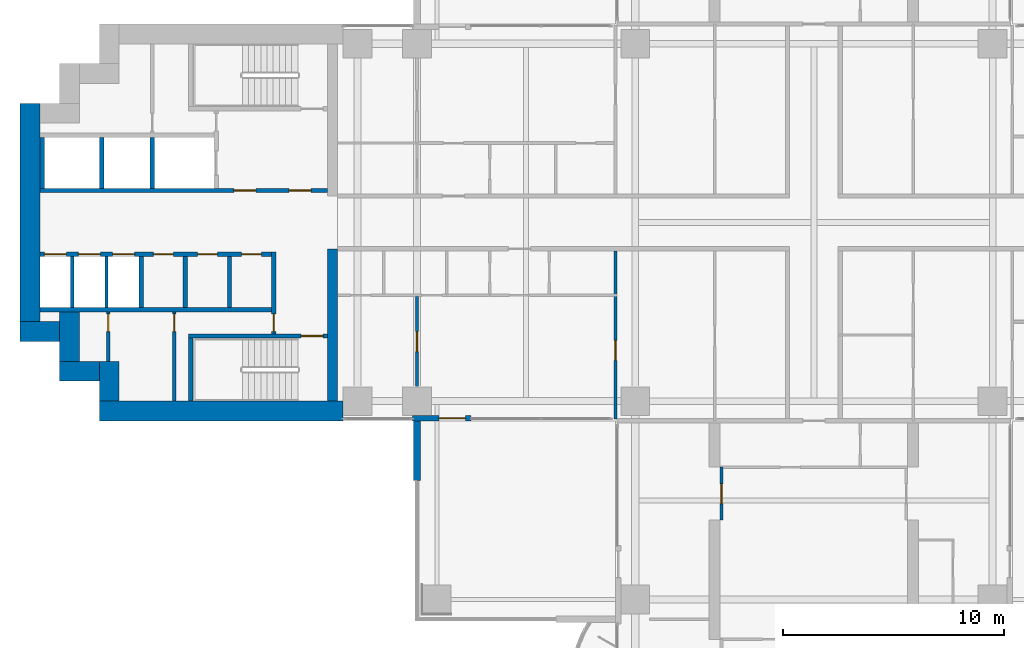
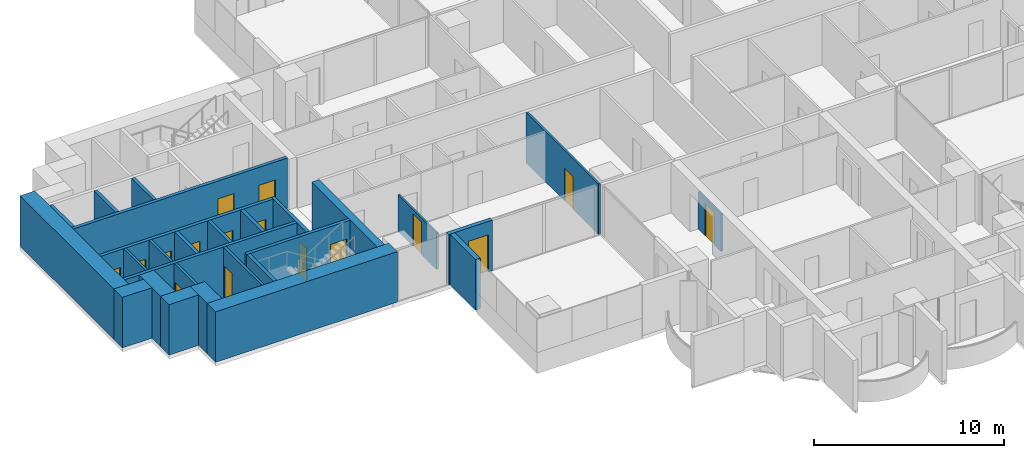
# One storey, part 10 of 20: 28 walls, 16 doors, 16 openings.
"""IFC4 building model written with IfcOpenShell, lengths in metres."""

import ifcopenshell
import ifcopenshell.guid

model = None  # the IFC model being written
_history = None  # IfcOwnerHistory: only IFC2X3 demands one
_inside = {}  # id of a spatial element -> (the spatial element, [elements in it])
_under = {}  # id of a project, library or spatial element -> (it, [spatial elements below it])
_declared = {}  # id of a project -> (the project, [libraries it declares])
_typed = {}  # id of a type object -> (the type object, [elements of that type])
_made_of = {}  # id of a material, layer set ... -> (it, [elements and type objects made of it])


def new_model(schema):
    """Start an empty IFC model of exactly this schema.

    Asked for "IFC4X3", IfcOpenShell would pick the latest addendum, in which some entities
    have other attributes; the version numbers below select the first issue.
    IFC2X3 requires an IfcOwnerHistory on every rooted entity: one is made here for all.
    """
    global model, _history
    if schema == "IFC4X3":
        model = ifcopenshell.file(schema_version=(4, 3, 0, 0))
    else:
        model = ifcopenshell.file(schema=schema)
    _inside.clear()
    _under.clear()
    _declared.clear()
    _typed.clear()
    _made_of.clear()
    _history = None
    if model.schema == "IFC2X3":
        org = make("IfcOrganization", Name="unknown")
        user = make(
            "IfcPersonAndOrganization",
            ThePerson=make("IfcPerson", FamilyName="unknown"),
            TheOrganization=org,
        )
        app = make(
            "IfcApplication",
            ApplicationDeveloper=org,
            Version="unknown",
            ApplicationFullName="unknown",
            ApplicationIdentifier="unknown",
        )
        _history = make(
            "IfcOwnerHistory",
            OwningUser=user,
            OwningApplication=app,
            ChangeAction="ADDED",
            CreationDate=0,
        )
    return model


def make(cls, **values):
    """One entity of the class cls with the attributes given. An attribute that is None is left unset."""
    return model.create_entity(
        cls, **{name: value for name, value in values.items() if value is not None}
    )


def rooted(cls, **values):
    """An entity with a GlobalId (a new one), such as an element, a storey or a relation."""
    return make(cls, GlobalId=ifcopenshell.guid.new(), OwnerHistory=_history, **values)


def si_unit(unit_type, name, prefix=None):
    """IfcSIUnit, for example si_unit("LENGTHUNIT", "METRE", prefix="MILLI")."""
    return make("IfcSIUnit", UnitType=unit_type, Prefix=prefix, Name=name)


def assignment(units):
    """IfcUnitAssignment: the units of a project."""
    return None if units is None else make("IfcUnitAssignment", Units=units)


def point(xyz):
    """IfcCartesianPoint."""
    return None if xyz is None else make("IfcCartesianPoint", Coordinates=xyz)


def direction(xyz):
    """IfcDirection."""
    return None if xyz is None else make("IfcDirection", DirectionRatios=xyz)


def frame(location, z_axis=None, x_axis=None):
    """IfcAxis2Placement3D, a coordinate frame: its origin and axes. An axis left out is left unset."""
    return make(
        "IfcAxis2Placement3D",
        Location=point(location),
        Axis=direction(z_axis),
        RefDirection=direction(x_axis),
    )


def frame_2d(location, x_axis=None):
    """IfcAxis2Placement2D, a coordinate frame in the plane: its origin and x axis."""
    return make(
        "IfcAxis2Placement2D", Location=point(location), RefDirection=direction(x_axis)
    )


def origin():
    """The frame at (0, 0, 0) with its axes left unset."""
    return frame((0.0, 0.0, 0.0))


def place(relative_to, where):
    """IfcLocalPlacement: puts the frame where relative to a parent placement (None: the world)."""
    return make(
        "IfcLocalPlacement", PlacementRelTo=relative_to, RelativePlacement=where
    )


def context(
    kind, dimensions, precision=None, world=None, true_north=None, identifier=None
):
    """IfcGeometricRepresentationContext, for example the 3D "Model" context."""
    return make(
        "IfcGeometricRepresentationContext",
        ContextIdentifier=identifier,
        ContextType=kind,
        CoordinateSpaceDimension=dimensions,
        Precision=precision,
        WorldCoordinateSystem=world,
        TrueNorth=true_north,
    )


def subcontext(parent, identifier, kind, view, scale=None):
    """IfcGeometricRepresentationSubContext, for example "Body" below "Model"."""
    return make(
        "IfcGeometricRepresentationSubContext",
        ContextIdentifier=identifier,
        ContextType=kind,
        ParentContext=parent,
        TargetScale=scale,
        TargetView=view,
    )


def project(units=None, contexts=None):
    """IfcProject with its units and contexts."""
    return rooted(
        "IfcProject",
        Name="project",
        RepresentationContexts=contexts,
        UnitsInContext=assignment(units),
    )


def spatial(cls, under=None, at=None, **own):
    """A site, building, storey or space (cls), placed at a placement, below another one or the project."""
    s = rooted(cls, ObjectPlacement=at, **own)
    if under is not None:
        _under.setdefault(under.id(), (under, []))[1].append(s)
    return s


def profile(cls, at=None, kind="AREA", **sizes):
    """A parametric profile (cls). Its sizes go by their IFC names, for example OverallWidth=200.0."""
    return make(cls, ProfileType=kind, Position=at, **sizes)


def rectangle(**sizes):
    """IfcRectangleProfileDef."""
    return profile("IfcRectangleProfileDef", **sizes)


def extrude(swept, where, along, depth):
    """IfcExtrudedAreaSolid: the profile swept, set in the frame where, extruded along a direction by depth."""
    return make(
        "IfcExtrudedAreaSolid",
        SweptArea=swept,
        Position=where,
        ExtrudedDirection=direction(along),
        Depth=depth,
    )


def shape(context_of_items, identifier, shape_type, items):
    """IfcShapeRepresentation: the items that make up one representation, for example the "Body"."""
    return make(
        "IfcShapeRepresentation",
        ContextOfItems=context_of_items,
        RepresentationIdentifier=identifier,
        RepresentationType=shape_type,
        Items=items,
    )


def material(Name=None, Category=None):
    """IfcMaterial."""
    return make("IfcMaterial", Name=Name, Category=Category)


def layer(
    of_material, thickness, ventilated=None, Name=None, Category=None, Priority=None
):
    """IfcMaterialLayer: one layer of a wall or slab, of a material (None: an air gap)."""
    return make(
        "IfcMaterialLayer",
        Material=of_material,
        LayerThickness=thickness,
        IsVentilated=ventilated,
        Name=Name,
        Category=Category,
        Priority=Priority,
    )


def layer_set(layers, Name=None):
    """IfcMaterialLayerSet."""
    return make("IfcMaterialLayerSet", MaterialLayers=layers, LayerSetName=Name)


def made_of(thing, what):
    """Note that an element or type object is made of a material, layer set ...; save() writes the relation."""
    if what is not None:
        _made_of.setdefault(what.id(), (what, []))[1].append(thing)
    return thing


def type_object(cls, material=None, **own):
    """A type object (cls), such as IfcWallType, which elements share."""
    return made_of(rooted(cls, **own), material)


def element(
    cls,
    number,
    at=None,
    inside=None,
    cuts=None,
    type_object=None,
    material=None,
    context=None,
    identifier="Body",
    shape_type=None,
    held_by="IfcProductDefinitionShape",
    body=None,
    shapes=None,
    **own,
):
    """One element of the class cls, such as IfcWall. Its Tag is "e" and its number.

    at: its placement. inside: the storey or other place that contains it. cuts: it is an
    opening in that element (IfcRelVoidsElement). A single representation is given by context,
    identifier, shape_type and body (its items); several are given by shapes. held_by: the class
    of the entity that holds the representations. save() writes the other relations.
    """
    e = rooted(cls, Tag="e%d" % number, ObjectPlacement=at, **own)
    if body is not None:
        shapes = [shape(context, identifier, shape_type, body)]
    if shapes is not None:
        e.Representation = make(held_by, Representations=shapes)
    if inside is not None:
        _inside.setdefault(inside.id(), (inside, []))[1].append(e)
    if cuts is not None:
        rooted(
            "IfcRelVoidsElement", RelatingBuildingElement=cuts, RelatedOpeningElement=e
        )
    if type_object is not None:
        _typed.setdefault(type_object.id(), (type_object, []))[1].append(e)
    return made_of(e, material)


def fill(opening, filler):
    """IfcRelFillsElement: the door or window that sits in an opening."""
    return rooted(
        "IfcRelFillsElement",
        RelatingOpeningElement=opening,
        RelatedBuildingElement=filler,
    )


def aggregate(whole, parts):
    """IfcRelAggregates: a whole, such as a stair, and the parts it consists of."""
    return rooted("IfcRelAggregates", RelatingObject=whole, RelatedObjects=parts)


def save(model, path):
    """Write the relations noted so far, then the file.

    IfcRelAggregates (storeys below a building ...), IfcRelContainedInSpatialStructure (elements
    in a storey), IfcRelDefinesByType, IfcRelAssociatesMaterial and IfcRelDeclares: one each for
    every whole, place, type object, material and project.
    """
    for whole, parts in _under.values():
        aggregate(whole, parts)
    for where, things in _inside.values():
        rooted(
            "IfcRelContainedInSpatialStructure",
            RelatedElements=things,
            RelatingStructure=where,
        )
    for kind, things in _typed.values():
        rooted("IfcRelDefinesByType", RelatedObjects=things, RelatingType=kind)
    for what, things in _made_of.values():
        rooted("IfcRelAssociatesMaterial", RelatedObjects=things, RelatingMaterial=what)
    for by, libraries in _declared.values():
        rooted("IfcRelDeclares", RelatingContext=by, RelatedDefinitions=libraries)
    model.write(path)


model = new_model("IFC4")

# Units and contexts
model_context = context("Model", 3, precision=1e-05, world=origin(), true_north=direction((0.0, 1.0)))
body_context = subcontext(model_context, "Body", "Model", "MODEL_VIEW")
ifc_project = project(units=[si_unit("LENGTHUNIT", "METRE"), si_unit("AREAUNIT", "SQUARE_METRE"), si_unit("VOLUMEUNIT", "CUBIC_METRE"), si_unit("PLANEANGLEUNIT", "RADIAN"), si_unit("MASSUNIT", "GRAM", prefix="KILO")], contexts=[model_context])

# Site, building, storey
site_placement = place(None, origin())
site = spatial("IfcSite", under=ifc_project, at=site_placement, CompositionType="ELEMENT")
building_placement = place(site_placement, origin())
building = spatial("IfcBuilding", under=site, at=building_placement, Name="Perihelion Cross Residences", CompositionType="ELEMENT")
storey_placement = place(building_placement, frame((0.0, 0.0, 82.0)))
storey = spatial("IfcBuildingStorey", under=building, at=storey_placement, Name="L18", CompositionType="ELEMENT", Elevation=82.0)

# Wall, opening, door
ifc_material_1 = material(Name="Concrete C30/37, bronze-clad", Category="concrete")
ifc_layer_1 = layer(ifc_material_1, 0.25)
ifc_layer_set_1 = layer_set([ifc_layer_1], Name="Bronze-clad pier wall 250")
wall_type_1 = type_object("IfcWallType", Name="Bronze-clad pier wall 250", PredefinedType="SOLIDWALL", material=ifc_layer_set_1)
wall_1_placement = place(storey_placement, frame((-18.199951171875, -8.875, 0.0), z_axis=(0.0, 0.0, 1.0), x_axis=(1.0, 0.0, 0.0)))
wall_1 = element("IfcWall", 1, at=wall_1_placement, inside=storey, type_object=wall_type_1, Name="Wall FW1 L18 west side south bay 2 pier", PredefinedType="SOLIDWALL", context=body_context, shape_type="SweptSolid", body=[
    extrude(rectangle(XDim=2.64990234375, YDim=0.25, at=frame_2d((1.324951171875, 0.0))), origin(), (0.0, 0.0, 1.0), 3.25),
])
opening_1_placement = place(wall_1_placement, frame((1.199951171875, 0.0, 0.0)))
opening_1 = element("IfcOpeningElement", 2, at=opening_1_placement, cuts=wall_1, Name="Opening L18.E09", PredefinedType="OPENING", context=body_context, shape_type="SweptSolid", body=[
    extrude(rectangle(XDim=1.199951171875, YDim=2.39990234375, at=frame_2d((0.60009765625, 1.199951171875))), frame((0.0, 0.135009765625, 0.0), z_axis=(0.0, -1.0, 0.0), x_axis=(1.0, 0.0, 0.0)), (0.0, 0.0, 1.0), 0.27001953125),
])
ifc_material_2 = material(Name="Bronze anodised aluminium, glazed", Category="aluminium")
door_type_1 = type_object("IfcDoorType", Name="Balcony door 1200 x 2400", OperationType="NOTDEFINED", PredefinedType="DOOR", material=ifc_material_2)
door_1_placement = place(opening_1_placement, origin())
door_1 = element("IfcDoor", 3, at=door_1_placement, inside=storey, type_object=door_type_1, Name="Door L18.E09 west side south bay 2", OperationType="SINGLE_SWING_RIGHT", OverallHeight=2.39990234375, OverallWidth=1.199951171875, PredefinedType="DOOR", context=body_context, shape_type="SweptSolid", body=[
    extrude(rectangle(XDim=1.199951171875, YDim=2.39990234375, at=frame_2d((0.60009765625, 1.199951171875))), frame((0.0, 0.02490234375, 0.0), z_axis=(0.0, -1.0, 0.0), x_axis=(1.0, 0.0, 0.0)), (0.0, 0.0, 1.0), 0.050048828125),
])
fill(opening_1, door_1)

# Walls
ifc_material_3 = material(Name="Concrete C60/75", Category="concrete")
ifc_layer_2 = layer(ifc_material_3, 0.449951171875)
ifc_layer_set_2 = layer_set([ifc_layer_2], Name="Core wall, inner 450")
wall_type_2 = type_object("IfcWallType", Name="Core wall, inner 450", PredefinedType="SHEAR", material=ifc_layer_set_2)
wall_2_placement = place(storey_placement, frame((-21.824951171875, -8.10009765625, 0.0), z_axis=(0.0, 0.0, 1.0), x_axis=(0.0, 1.0, 0.0)))
element("IfcWall", 4, at=wall_2_placement, inside=storey, type_object=wall_type_2, Name="West core core wall, inner", PredefinedType="SHEAR", context=body_context, shape_type="SweptSolid", body=[
    extrude(rectangle(XDim=6.900146484375, YDim=0.449951171875, at=frame_2d((3.4501953125, 0.0))), origin(), (0.0, 0.0, 1.0), 3.25),
])
ifc_material_4 = material(Name="Concrete C60/75", Category="concrete")
ifc_layer_3 = layer(ifc_material_4, 0.89990234375)
ifc_layer_set_3 = layer_set([ifc_layer_3], Name="Core wall, outer 900")
wall_type_3 = type_object("IfcWallType", Name="Core wall, outer 900", PredefinedType="SHEAR", material=ifc_layer_set_3)
wall_3_placement = place(storey_placement, frame((-32.39990234375, -8.550048828125, 0.0), z_axis=(0.0, 0.0, 1.0), x_axis=(1.0, 0.0, 0.0)))
element("IfcWall", 5, at=wall_3_placement, inside=storey, type_object=wall_type_3, Name="West core core wall, outer", PredefinedType="SHEAR", context=body_context, shape_type="SweptSolid", body=[
    extrude(rectangle(XDim=11.0498046875, YDim=0.89990234375, at=frame_2d((5.52490234375, 0.0))), origin(), (0.0, 0.0, 1.0), 3.25),
])
for number, where, z_axis, x_axis, name in (
    (6, (-31.949951171875, -8.10009765625, 0.0), (0.0, 0.0, 1.0), (0.0, 1.0, 0.0), "West core core wall, outer"),
    (7, (-34.199951171875, -6.75, 0.0), (0.0, 0.0, 1.0), (1.0, 0.0, 0.0), "West core core wall, outer"),
):
    element("IfcWall", number, at=place(storey_placement, frame(where, z_axis=z_axis, x_axis=x_axis)), inside=storey, type_object=wall_type_3, Name=name, PredefinedType="SHEAR", context=body_context, shape_type="SweptSolid", body=[
        extrude(rectangle(XDim=1.800048828125, YDim=0.89990234375, at=frame_2d((0.89990234375, 0.0))), origin(), (0.0, 0.0, 1.0), 3.25),
    ])
wall_4_placement = place(storey_placement, frame((-33.75, -6.300048828125, 0.0), z_axis=(0.0, 0.0, 1.0), x_axis=(0.0, 1.0, 0.0)))
element("IfcWall", 8, at=wall_4_placement, inside=storey, type_object=wall_type_3, Name="West core core wall, outer", PredefinedType="SHEAR", context=body_context, shape_type="SweptSolid", body=[
    extrude(rectangle(XDim=2.25, YDim=0.89990234375, at=frame_2d((1.125, 0.0))), origin(), (0.0, 0.0, 1.0), 3.25),
])
wall_5_placement = place(storey_placement, frame((-36.0, -4.949951171875, 0.0), z_axis=(0.0, 0.0, 1.0), x_axis=(1.0, 0.0, 0.0)))
element("IfcWall", 9, at=wall_5_placement, inside=storey, type_object=wall_type_3, Name="West core core wall, outer", PredefinedType="SHEAR", context=body_context, shape_type="SweptSolid", body=[
    extrude(rectangle(XDim=1.800048828125, YDim=0.89990234375, at=frame_2d((0.89990234375, 0.0))), origin(), (0.0, 0.0, 1.0), 3.25),
])
wall_6_placement = place(storey_placement, frame((-35.550048828125, -4.5, 0.0), z_axis=(0.0, 0.0, 1.0), x_axis=(0.0, 1.0, 0.0)))
element("IfcWall", 10, at=wall_6_placement, inside=storey, type_object=wall_type_3, Name="West core core wall, outer", PredefinedType="SHEAR", context=body_context, shape_type="SweptSolid", body=[
    extrude(rectangle(XDim=9.89990234375, YDim=0.89990234375, at=frame_2d((4.949951171875, 0.0))), origin(), (0.0, 0.0, 1.0), 3.25),
])

# Wall, opening, door
ifc_material_5 = material(Name="Plasterboard partition")
ifc_layer_4 = layer(ifc_material_5, 0.1201171875)
ifc_layer_set_4 = layer_set([ifc_layer_4], Name="Infill panel 120")
wall_type_4 = type_object("IfcWallType", Name="Infill panel 120", PredefinedType="PARTITIONING", material=ifc_layer_set_4)
wall_7_placement = place(storey_placement, frame((-4.18994140625, -11.10009765625, 0.0), z_axis=(0.0, 0.0, 1.0), x_axis=(0.0, -1.0, 0.0)))
wall_7 = element("IfcWall", 11, at=wall_7_placement, inside=storey, type_object=wall_type_4, Name="Partition L18 WI07", PredefinedType="PARTITIONING", context=body_context, shape_type="SweptSolid", body=[
    extrude(rectangle(XDim=2.39990234375, YDim=0.1201171875, at=frame_2d((1.199951171875, 0.0))), origin(), (0.0, 0.0, 1.0), 2.39990234375),
])
opening_2_placement = place(wall_7_placement, frame((0.75, 0.0, 0.0)))
opening_2 = element("IfcOpeningElement", 12, at=opening_2_placement, cuts=wall_7, Name="Opening L18.A55", PredefinedType="OPENING", context=body_context, shape_type="SweptSolid", body=[
    extrude(rectangle(XDim=0.89990234375, YDim=2.10009765625, at=frame_2d((0.449951171875, 1.050048828125))), frame((0.0, 0.070068359375, 0.0), z_axis=(0.0, -1.0, 0.0), x_axis=(1.0, 0.0, 0.0)), (0.0, 0.0, 1.0), 0.14013671875),
])
ifc_material_6 = material(Name="Timber door leaf", Category="wood")
door_type_2 = type_object("IfcDoorType", Name="Interior room door 900 x 2100", OperationType="SINGLE_SWING_LEFT", PredefinedType="DOOR", material=ifc_material_6)
door_2_placement = place(opening_2_placement, origin())
door_2 = element("IfcDoor", 13, at=door_2_placement, inside=storey, type_object=door_type_2, Name="Door L18.A55", OperationType="SINGLE_SWING_LEFT", OverallHeight=2.10009765625, OverallWidth=0.89990234375, PredefinedType="DOOR", context=body_context, shape_type="SweptSolid", body=[
    extrude(rectangle(XDim=0.89990234375, YDim=2.10009765625, at=frame_2d((0.449951171875, 1.050048828125))), frame((0.0, 0.02490234375, 0.0), z_axis=(0.0, -1.0, 0.0), x_axis=(1.0, 0.0, 0.0)), (0.0, 0.0, 1.0), 0.050048828125),
])
fill(opening_2, door_2)

ifc_material_7 = material(Name="Concrete C50/60", Category="concrete")
ifc_layer_5 = layer(ifc_material_7, 0.199951171875)
ifc_layer_set_5 = layer_set([ifc_layer_5], Name="Lobby wall 200")
wall_type_5 = type_object("IfcWallType", Name="Lobby wall 200", PredefinedType="SOLIDWALL", material=ifc_layer_set_5)
wall_8_placement = place(storey_placement, frame((-24.5, -5.050048828125, 0.0), z_axis=(0.0, 0.0, 1.0), x_axis=(0.0, 1.0, 0.0)))
wall_8 = element("IfcWall", 14, at=wall_8_placement, inside=storey, type_object=wall_type_5, Name="West core lobby wall", PredefinedType="SOLIDWALL", context=body_context, shape_type="SweptSolid", body=[
    extrude(rectangle(XDim=3.699951171875, YDim=0.199951171875, at=frame_2d((1.85009765625, 0.0))), origin(), (0.0, 0.0, 1.0), 3.25),
])
opening_3_placement = place(wall_8_placement, frame((0.10009765625, 0.0, 0.0)))
opening_3 = element("IfcOpeningElement", 15, at=opening_3_placement, cuts=wall_8, Name="Opening L18.C24", PredefinedType="OPENING", context=body_context, shape_type="SweptSolid", body=[
    extrude(rectangle(XDim=0.800048828125, YDim=2.10009765625, at=frame_2d((0.39990234375, 1.050048828125))), frame((0.0, 0.10986328125, 0.0), z_axis=(0.0, -1.0, 0.0), x_axis=(1.0, 0.0, 0.0)), (0.0, 0.0, 1.0), 0.219970703125),
])
ifc_material_8 = material(Name="Steel, powder coated", Category="steel")
door_type_3 = type_object("IfcDoorType", Name="Riser door 800", OperationType="SINGLE_SWING_LEFT", PredefinedType="DOOR", material=ifc_material_8)
door_3_placement = place(opening_3_placement, origin())
door_3 = element("IfcDoor", 16, at=door_3_placement, inside=storey, type_object=door_type_3, Name="West core riser door", OperationType="SINGLE_SWING_LEFT", OverallHeight=2.10009765625, OverallWidth=0.800048828125, PredefinedType="DOOR", context=body_context, shape_type="SweptSolid", body=[
    extrude(rectangle(XDim=0.800048828125, YDim=2.10009765625, at=frame_2d((0.39990234375, 1.050048828125))), frame((0.0, 0.02490234375, 0.0), z_axis=(0.0, -1.0, 0.0), x_axis=(1.0, 0.0, 0.0)), (0.0, 0.0, 1.0), 0.050048828125),
])
fill(opening_3, door_3)

ifc_material_9 = material(Name="Plasterboard partition")
ifc_layer_6 = layer(ifc_material_9, 0.1201171875)
ifc_layer_set_6 = layer_set([ifc_layer_6], Name="Partition wall 120")
wall_type_6 = type_object("IfcWallType", Name="Partition wall 120", PredefinedType="PARTITIONING", material=ifc_layer_set_6)
wall_9_placement = place(storey_placement, frame((-9.0, -1.300048828125, 0.0), z_axis=(0.0, 0.0, 1.0), x_axis=(0.0, -1.0, 0.0)))
wall_9 = element("IfcWall", 17, at=wall_9_placement, inside=storey, type_object=wall_type_6, Name="Partition L18 W040", PredefinedType="PARTITIONING", context=body_context, shape_type="SweptSolid", body=[
    extrude(rectangle(XDim=7.619873046875, YDim=0.1201171875, at=frame_2d((3.81005859375, 0.0))), origin(), (0.0, 0.0, 1.0), 3.25),
])
opening_4_placement = place(wall_9_placement, frame((4.050048828125, 0.0, 0.0)))
opening_4 = element("IfcOpeningElement", 18, at=opening_4_placement, cuts=wall_9, Name="Opening L18.A30", PredefinedType="OPENING", context=body_context, shape_type="SweptSolid", body=[
    extrude(rectangle(XDim=0.89990234375, YDim=2.10009765625, at=frame_2d((0.449951171875, 1.050048828125))), frame((0.0, 0.070068359375, 0.0), z_axis=(0.0, -1.0, 0.0), x_axis=(1.0, 0.0, 0.0)), (0.0, 0.0, 1.0), 0.14013671875),
])
door_4_placement = place(opening_4_placement, origin())
door_4 = element("IfcDoor", 19, at=door_4_placement, inside=storey, type_object=door_type_2, Name="Door L18.A30", OperationType="SINGLE_SWING_RIGHT", OverallHeight=2.10009765625, OverallWidth=0.89990234375, PredefinedType="DOOR", context=body_context, shape_type="SweptSolid", body=[
    extrude(rectangle(XDim=0.89990234375, YDim=2.10009765625, at=frame_2d((0.449951171875, 1.050048828125))), frame((0.0, 0.02490234375, 0.0), z_axis=(0.0, -1.0, 0.0), x_axis=(1.0, 0.0, 0.0)), (0.0, 0.0, 1.0), 0.050048828125),
])
fill(opening_4, door_4)

wall_10_placement = place(storey_placement, frame((-18.0, -7.449951171875, 0.0), z_axis=(0.0, 0.0, 1.0), x_axis=(0.0, 1.0, 0.0)))
wall_10 = element("IfcWall", 20, at=wall_10_placement, inside=storey, type_object=wall_type_6, Name="Partition L18 W046", PredefinedType="PARTITIONING", context=body_context, shape_type="SweptSolid", body=[
    extrude(rectangle(XDim=4.08984375, YDim=0.1201171875, at=frame_2d((2.044921875, 0.0))), origin(), (0.0, 0.0, 1.0), 2.345947265625),
])
opening_5_placement = place(wall_10_placement, frame((1.594970703125, 0.0, 0.0)))
opening_5 = element("IfcOpeningElement", 21, at=opening_5_placement, cuts=wall_10, Name="Opening L18.A27", PredefinedType="OPENING", context=body_context, shape_type="SweptSolid", body=[
    extrude(rectangle(XDim=0.89990234375, YDim=2.10009765625, at=frame_2d((0.449951171875, 1.050048828125))), frame((0.0, 0.070068359375, 0.0), z_axis=(0.0, -1.0, 0.0), x_axis=(1.0, 0.0, 0.0)), (0.0, 0.0, 1.0), 0.14013671875),
])
door_5_placement = place(opening_5_placement, origin())
door_5 = element("IfcDoor", 22, at=door_5_placement, inside=storey, type_object=door_type_2, Name="Door L18.A27", OperationType="SINGLE_SWING_LEFT", OverallHeight=2.10009765625, OverallWidth=0.89990234375, PredefinedType="DOOR", context=body_context, shape_type="SweptSolid", body=[
    extrude(rectangle(XDim=0.89990234375, YDim=2.10009765625, at=frame_2d((0.449951171875, 1.050048828125))), frame((0.0, 0.02490234375, 0.0), z_axis=(0.0, -1.0, 0.0), x_axis=(1.0, 0.0, 0.0)), (0.0, 0.0, 1.0), 0.050048828125),
])
fill(opening_5, door_5)

# Wall
ifc_material_10 = material(Name="Precast concrete C50/60", Category="concrete")
ifc_layer_7 = layer(ifc_material_10, 0.300048828125)
ifc_layer_set_7 = layer_set([ifc_layer_7], Name="Precast concrete C50/60 blade wall 300")
wall_type_7 = type_object("IfcWallType", Name="Precast concrete C50/60 blade wall 300", PredefinedType="SOLIDWALL", material=ifc_layer_set_7)
wall_11_placement = place(storey_placement, frame((-18.0, -8.75, 0.0), z_axis=(0.0, 0.0, 1.0), x_axis=(0.0, -1.0, 0.0)))
element("IfcWall", 23, at=wall_11_placement, inside=storey, type_object=wall_type_7, Name="Wall BL1 L18 no. 1", PredefinedType="SOLIDWALL", context=body_context, shape_type="SweptSolid", body=[
    extrude(rectangle(XDim=2.949951171875, YDim=0.300048828125, at=frame_2d((1.47509765625, 0.0))), origin(), (0.0, 0.0, 1.0), 3.25),
])

# Wall, opening, door
ifc_material_11 = material(Name="Fire-rated board on steel stud", Category="steel")
ifc_layer_8 = layer(ifc_material_11, 0.14990234375)
ifc_layer_set_8 = layer_set([ifc_layer_8], Name="Riser wall 150")
wall_type_8 = type_object("IfcWallType", Name="Riser wall 150", PredefinedType="PARTITIONING", material=ifc_layer_set_8)
wall_12_placement = place(storey_placement, frame((-29.0, -8.10009765625, 0.0), z_axis=(0.0, 0.0, 1.0), x_axis=(0.0, 1.0, 0.0)))
wall_12 = element("IfcWall", 24, at=wall_12_placement, inside=storey, type_object=wall_type_8, Name="West core riser wall", PredefinedType="PARTITIONING", context=body_context, shape_type="SweptSolid", body=[
    extrude(rectangle(XDim=4.050048828125, YDim=0.14990234375, at=frame_2d((2.02490234375, 0.0))), origin(), (0.0, 0.0, 1.0), 3.25),
])
opening_6_placement = place(wall_12_placement, frame((3.14990234375, 0.0, 0.0)))
opening_6 = element("IfcOpeningElement", 25, at=opening_6_placement, cuts=wall_12, Name="Opening L18.C29", PredefinedType="OPENING", context=body_context, shape_type="SweptSolid", body=[
    extrude(rectangle(XDim=0.800048828125, YDim=2.10009765625, at=frame_2d((0.39990234375, 1.050048828125))), frame((0.0, 0.0849609375, 0.0), z_axis=(0.0, -1.0, 0.0), x_axis=(1.0, 0.0, 0.0)), (0.0, 0.0, 1.0), 0.169921875),
])
door_6_placement = place(opening_6_placement, origin())
door_6 = element("IfcDoor", 26, at=door_6_placement, inside=storey, type_object=door_type_3, Name="West core riser door", OperationType="SINGLE_SWING_LEFT", OverallHeight=2.10009765625, OverallWidth=0.800048828125, PredefinedType="DOOR", context=body_context, shape_type="SweptSolid", body=[
    extrude(rectangle(XDim=0.800048828125, YDim=2.10009765625, at=frame_2d((0.39990234375, 1.050048828125))), frame((0.0, 0.02490234375, 0.0), z_axis=(0.0, -1.0, 0.0), x_axis=(1.0, 0.0, 0.0)), (0.0, 0.0, 1.0), 0.050048828125),
])
fill(opening_6, door_6)

wall_13_placement = place(storey_placement, frame((-32.0, -6.300048828125, 0.0), z_axis=(0.0, 0.0, 1.0), x_axis=(0.0, 1.0, 0.0)))
wall_13 = element("IfcWall", 27, at=wall_13_placement, inside=storey, type_object=wall_type_8, Name="West core riser wall", PredefinedType="PARTITIONING", context=body_context, shape_type="SweptSolid", body=[
    extrude(rectangle(XDim=2.25, YDim=0.14990234375, at=frame_2d((1.125, 0.0))), origin(), (0.0, 0.0, 1.0), 3.25),
])
opening_7_placement = place(wall_13_placement, frame((1.35009765625, 0.0, 0.0)))
opening_7 = element("IfcOpeningElement", 28, at=opening_7_placement, cuts=wall_13, Name="Opening L18.C32", PredefinedType="OPENING", context=body_context, shape_type="SweptSolid", body=[
    extrude(rectangle(XDim=0.800048828125, YDim=2.10009765625, at=frame_2d((0.39990234375, 1.050048828125))), frame((0.0, 0.0849609375, 0.0), z_axis=(0.0, -1.0, 0.0), x_axis=(1.0, 0.0, 0.0)), (0.0, 0.0, 1.0), 0.169921875),
])
door_7_placement = place(opening_7_placement, origin())
door_7 = element("IfcDoor", 29, at=door_7_placement, inside=storey, type_object=door_type_3, Name="West core riser door", OperationType="SINGLE_SWING_LEFT", OverallHeight=2.10009765625, OverallWidth=0.800048828125, PredefinedType="DOOR", context=body_context, shape_type="SweptSolid", body=[
    extrude(rectangle(XDim=0.800048828125, YDim=2.10009765625, at=frame_2d((0.39990234375, 1.050048828125))), frame((0.0, 0.02490234375, 0.0), z_axis=(0.0, -1.0, 0.0), x_axis=(1.0, 0.0, 0.0)), (0.0, 0.0, 1.0), 0.050048828125),
])
fill(opening_7, door_7)

# Walls
ifc_material_12 = material(Name="Fire-rated board on steel stud", Category="steel")
ifc_layer_9 = layer(ifc_material_12, 0.199951171875)
ifc_layer_set_9 = layer_set([ifc_layer_9], Name="Riser wall 200")
wall_type_9 = type_object("IfcWallType", Name="Riser wall 200", PredefinedType="PARTITIONING", material=ifc_layer_set_9)
for number, where, z_axis, x_axis, name in (
    (30, (-26.5, -3.85009765625, 0.0), (0.0, 0.0, 1.0), (0.0, 1.0, 0.0), "West core riser wall"),
    (31, (-28.5, -3.85009765625, 0.0), (0.0, 0.0, 1.0), (0.0, 1.0, 0.0), "West core riser wall"),
):
    element("IfcWall", number, at=place(storey_placement, frame(where, z_axis=z_axis, x_axis=x_axis)), inside=storey, type_object=wall_type_9, Name=name, PredefinedType="PARTITIONING", context=body_context, shape_type="SweptSolid", body=[
        extrude(rectangle(XDim=2.300048828125, YDim=0.199951171875, at=frame_2d((1.14990234375, 0.0))), origin(), (0.0, 0.0, 1.0), 3.25),
    ])
ifc_material_13 = material(Name="Concrete C50/60", Category="concrete")
ifc_layer_10 = layer(ifc_material_13, 0.14990234375)
ifc_layer_set_10 = layer_set([ifc_layer_10], Name="Shaft wall 150")
wall_type_10 = type_object("IfcWallType", Name="Shaft wall 150", PredefinedType="SOLIDWALL", material=ifc_layer_set_10)
for number, where, z_axis, x_axis, name in (
    (32, (-32.074951171875, -3.85009765625, 0.0), (0.0, 0.0, 1.0), (0.0, 1.0, 0.0), "West core shaft wall"),
    (33, (-33.625, -3.85009765625, 0.0), (0.0, 0.0, 1.0), (0.0, 1.0, 0.0), "West core shaft wall"),
):
    element("IfcWall", number, at=place(storey_placement, frame(where, z_axis=z_axis, x_axis=x_axis)), inside=storey, type_object=wall_type_10, Name=name, PredefinedType="SOLIDWALL", context=body_context, shape_type="SweptSolid", body=[
        extrude(rectangle(XDim=2.300048828125, YDim=0.14990234375, at=frame_2d((1.14990234375, 0.0))), origin(), (0.0, 0.0, 1.0), 3.25),
    ])

# Wall, openings, doors
ifc_material_14 = material(Name="Concrete C50/60", Category="concrete")
ifc_layer_11 = layer(ifc_material_14, 0.199951171875)
ifc_layer_set_11 = layer_set([ifc_layer_11], Name="Shaft wall 200")
wall_type_11 = type_object("IfcWallType", Name="Shaft wall 200", PredefinedType="SOLIDWALL", material=ifc_layer_set_11)
wall_14_placement = place(storey_placement, frame((-35.10009765625, 1.449951171875, 0.0), z_axis=(0.0, 0.0, 1.0), x_axis=(1.0, 0.0, 0.0)))
wall_14 = element("IfcWall", 34, at=wall_14_placement, inside=storey, type_object=wall_type_11, Name="West core shaft wall", PredefinedType="SOLIDWALL", context=body_context, shape_type="SweptSolid", body=[
    extrude(rectangle(XDim=13.050048828125, YDim=0.199951171875, at=frame_2d((6.52490234375, 0.0))), origin(), (0.0, 0.0, 1.0), 3.25),
])
opening_8_placement = place(wall_14_placement, frame((11.300048828125, 0.0, 0.0)))
opening_8 = element("IfcOpeningElement", 35, at=opening_8_placement, cuts=wall_14, Name="Opening L18.C23", PredefinedType="OPENING", context=body_context, shape_type="SweptSolid", body=[
    extrude(rectangle(XDim=1.0, YDim=2.10009765625, at=frame_2d((0.5, 1.050048828125))), frame((0.0, 0.10986328125, 0.0), z_axis=(0.0, -1.0, 0.0), x_axis=(1.0, 0.0, 0.0)), (0.0, 0.0, 1.0), 0.219970703125),
])
opening_9_placement = place(wall_14_placement, frame((8.800048828125, 0.0, 0.0)))
opening_9 = element("IfcOpeningElement", 36, at=opening_9_placement, cuts=wall_14, Name="Opening L18.C26", PredefinedType="OPENING", context=body_context, shape_type="SweptSolid", body=[
    extrude(rectangle(XDim=1.0, YDim=2.10009765625, at=frame_2d((0.5, 1.050048828125))), frame((0.0, 0.10986328125, 0.0), z_axis=(0.0, -1.0, 0.0), x_axis=(1.0, 0.0, 0.0)), (0.0, 0.0, 1.0), 0.219970703125),
])
ifc_material_15 = material(Name="Steel, powder coated", Category="steel")
door_type_4 = type_object("IfcDoorType", Name="Lobby door 1000", OperationType="SINGLE_SWING_LEFT", PredefinedType="DOOR", material=ifc_material_15)
door_8_placement = place(opening_8_placement, origin())
door_8 = element("IfcDoor", 37, at=door_8_placement, inside=storey, type_object=door_type_4, Name="West core firefighting lobby door", OperationType="SINGLE_SWING_LEFT", OverallHeight=2.10009765625, OverallWidth=1.0, PredefinedType="DOOR", context=body_context, shape_type="SweptSolid", body=[
    extrude(rectangle(XDim=1.0, YDim=2.10009765625, at=frame_2d((0.5, 1.050048828125))), frame((0.0, 0.02490234375, 0.0), z_axis=(0.0, -1.0, 0.0), x_axis=(1.0, 0.0, 0.0)), (0.0, 0.0, 1.0), 0.050048828125),
])
fill(opening_8, door_8)
door_9_placement = place(opening_9_placement, origin())
door_9 = element("IfcDoor", 38, at=door_9_placement, inside=storey, type_object=door_type_4, Name="West core firefighting lobby door", OperationType="SINGLE_SWING_LEFT", OverallHeight=2.10009765625, OverallWidth=1.0, PredefinedType="DOOR", context=body_context, shape_type="SweptSolid", body=[
    extrude(rectangle(XDim=1.0, YDim=2.10009765625, at=frame_2d((0.5, 1.050048828125))), frame((0.0, 0.02490234375, 0.0), z_axis=(0.0, -1.0, 0.0), x_axis=(1.0, 0.0, 0.0)), (0.0, 0.0, 1.0), 0.050048828125),
])
fill(opening_9, door_9)

wall_15_placement = place(storey_placement, frame((-35.10009765625, -1.449951171875, 0.0), z_axis=(0.0, 0.0, 1.0), x_axis=(1.0, 0.0, 0.0)))
wall_15 = element("IfcWall", 39, at=wall_15_placement, inside=storey, type_object=wall_type_11, Name="West core shaft wall", PredefinedType="SOLIDWALL", context=body_context, shape_type="SweptSolid", body=[
    extrude(rectangle(XDim=10.5, YDim=0.199951171875, at=frame_2d((5.25, 0.0))), origin(), (0.0, 0.0, 1.0), 3.25),
])
opening_10_placement = place(wall_15_placement, frame((3.300048828125, 0.0, 0.0)))
opening_10 = element("IfcOpeningElement", 40, at=opening_10_placement, cuts=wall_15, Name="Opening L18.C18", PredefinedType="OPENING", context=body_context, shape_type="SweptSolid", body=[
    extrude(rectangle(XDim=1.0, YDim=2.10009765625, at=frame_2d((0.5, 1.050048828125))), frame((0.0, 0.10986328125, 0.0), z_axis=(0.0, -1.0, 0.0), x_axis=(1.0, 0.0, 0.0)), (0.0, 0.0, 1.0), 0.219970703125),
])
opening_11_placement = place(wall_15_placement, frame((1.75, 0.0, 0.0)))
opening_11 = element("IfcOpeningElement", 41, at=opening_11_placement, cuts=wall_15, Name="Opening L18.C19", PredefinedType="OPENING", context=body_context, shape_type="SweptSolid", body=[
    extrude(rectangle(XDim=1.0, YDim=2.10009765625, at=frame_2d((0.5, 1.050048828125))), frame((0.0, 0.10986328125, 0.0), z_axis=(0.0, -1.0, 0.0), x_axis=(1.0, 0.0, 0.0)), (0.0, 0.0, 1.0), 0.219970703125),
])
opening_12_placement = place(wall_15_placement, frame((0.199951171875, 0.0, 0.0)))
opening_12 = element("IfcOpeningElement", 42, at=opening_12_placement, cuts=wall_15, Name="Opening L18.C20", PredefinedType="OPENING", context=body_context, shape_type="SweptSolid", body=[
    extrude(rectangle(XDim=1.0, YDim=2.10009765625, at=frame_2d((0.5, 1.050048828125))), frame((0.0, 0.10986328125, 0.0), z_axis=(0.0, -1.0, 0.0), x_axis=(1.0, 0.0, 0.0)), (0.0, 0.0, 1.0), 0.219970703125),
])
opening_13_placement = place(wall_15_placement, frame((9.14990234375, 0.0, 0.0)))
opening_13 = element("IfcOpeningElement", 43, at=opening_13_placement, cuts=wall_15, Name="Opening L18.C25", PredefinedType="OPENING", context=body_context, shape_type="SweptSolid", body=[
    extrude(rectangle(XDim=0.89990234375, YDim=2.10009765625, at=frame_2d((0.449951171875, 1.050048828125))), frame((0.0, 0.10986328125, 0.0), z_axis=(0.0, -1.0, 0.0), x_axis=(1.0, 0.0, 0.0)), (0.0, 0.0, 1.0), 0.219970703125),
])
opening_14_placement = place(wall_15_placement, frame((7.14990234375, 0.0, 0.0)))
opening_14 = element("IfcOpeningElement", 44, at=opening_14_placement, cuts=wall_15, Name="Opening L18.C28", PredefinedType="OPENING", context=body_context, shape_type="SweptSolid", body=[
    extrude(rectangle(XDim=0.89990234375, YDim=2.10009765625, at=frame_2d((0.449951171875, 1.050048828125))), frame((0.0, 0.10986328125, 0.0), z_axis=(0.0, -1.0, 0.0), x_axis=(1.0, 0.0, 0.0)), (0.0, 0.0, 1.0), 0.219970703125),
])
opening_15_placement = place(wall_15_placement, frame((5.14990234375, 0.0, 0.0)))
opening_15 = element("IfcOpeningElement", 45, at=opening_15_placement, cuts=wall_15, Name="Opening L18.C30", PredefinedType="OPENING", context=body_context, shape_type="SweptSolid", body=[
    extrude(rectangle(XDim=0.89990234375, YDim=2.10009765625, at=frame_2d((0.449951171875, 1.050048828125))), frame((0.0, 0.10986328125, 0.0), z_axis=(0.0, -1.0, 0.0), x_axis=(1.0, 0.0, 0.0)), (0.0, 0.0, 1.0), 0.219970703125),
])
ifc_material_16 = material(Name="Stainless steel", Category="steel")
door_type_5 = type_object("IfcDoorType", Name="Landing door 1000", OperationType="DOUBLE_DOOR_SLIDING", PredefinedType="DOOR", material=ifc_material_16)
door_10_placement = place(opening_10_placement, origin())
door_10 = element("IfcDoor", 46, at=door_10_placement, inside=storey, type_object=door_type_5, Name="Landing door, West core low-rise lift 1", OperationType="DOUBLE_DOOR_SLIDING", OverallHeight=2.10009765625, OverallWidth=1.0, PredefinedType="DOOR", context=body_context, shape_type="SweptSolid", body=[
    extrude(rectangle(XDim=1.0, YDim=2.10009765625, at=frame_2d((0.5, 1.050048828125))), frame((0.0, 0.02490234375, 0.0), z_axis=(0.0, -1.0, 0.0), x_axis=(1.0, 0.0, 0.0)), (0.0, 0.0, 1.0), 0.050048828125),
])
fill(opening_10, door_10)
door_11_placement = place(opening_11_placement, origin())
door_11 = element("IfcDoor", 47, at=door_11_placement, inside=storey, type_object=door_type_5, Name="Landing door, West core low-rise lift 2", OperationType="DOUBLE_DOOR_SLIDING", OverallHeight=2.10009765625, OverallWidth=1.0, PredefinedType="DOOR", context=body_context, shape_type="SweptSolid", body=[
    extrude(rectangle(XDim=1.0, YDim=2.10009765625, at=frame_2d((0.5, 1.050048828125))), frame((0.0, 0.02490234375, 0.0), z_axis=(0.0, -1.0, 0.0), x_axis=(1.0, 0.0, 0.0)), (0.0, 0.0, 1.0), 0.050048828125),
])
fill(opening_11, door_11)
door_12_placement = place(opening_12_placement, origin())
door_12 = element("IfcDoor", 48, at=door_12_placement, inside=storey, type_object=door_type_5, Name="Landing door, West core low-rise lift 3", OperationType="DOUBLE_DOOR_SLIDING", OverallHeight=2.10009765625, OverallWidth=1.0, PredefinedType="DOOR", context=body_context, shape_type="SweptSolid", body=[
    extrude(rectangle(XDim=1.0, YDim=2.10009765625, at=frame_2d((0.5, 1.050048828125))), frame((0.0, 0.02490234375, 0.0), z_axis=(0.0, -1.0, 0.0), x_axis=(1.0, 0.0, 0.0)), (0.0, 0.0, 1.0), 0.050048828125),
])
fill(opening_12, door_12)
ifc_material_17 = material(Name="Steel, powder coated", Category="steel")
door_type_6 = type_object("IfcDoorType", Name="Service room door 900", OperationType="SINGLE_SWING_LEFT", PredefinedType="DOOR", material=ifc_material_17)
door_13_placement = place(opening_13_placement, origin())
door_13 = element("IfcDoor", 49, at=door_13_placement, inside=storey, type_object=door_type_6, Name="West core service room door", OperationType="SINGLE_SWING_LEFT", OverallHeight=2.10009765625, OverallWidth=0.89990234375, PredefinedType="DOOR", context=body_context, shape_type="SweptSolid", body=[
    extrude(rectangle(XDim=0.89990234375, YDim=2.10009765625, at=frame_2d((0.449951171875, 1.050048828125))), frame((0.0, 0.02490234375, 0.0), z_axis=(0.0, -1.0, 0.0), x_axis=(1.0, 0.0, 0.0)), (0.0, 0.0, 1.0), 0.050048828125),
])
fill(opening_13, door_13)
door_14_placement = place(opening_14_placement, origin())
door_14 = element("IfcDoor", 50, at=door_14_placement, inside=storey, type_object=door_type_6, Name="West core service room door", OperationType="SINGLE_SWING_LEFT", OverallHeight=2.10009765625, OverallWidth=0.89990234375, PredefinedType="DOOR", context=body_context, shape_type="SweptSolid", body=[
    extrude(rectangle(XDim=0.89990234375, YDim=2.10009765625, at=frame_2d((0.449951171875, 1.050048828125))), frame((0.0, 0.02490234375, 0.0), z_axis=(0.0, -1.0, 0.0), x_axis=(1.0, 0.0, 0.0)), (0.0, 0.0, 1.0), 0.050048828125),
])
fill(opening_14, door_14)
door_15_placement = place(opening_15_placement, origin())
door_15 = element("IfcDoor", 51, at=door_15_placement, inside=storey, type_object=door_type_6, Name="West core service room door", OperationType="SINGLE_SWING_LEFT", OverallHeight=2.10009765625, OverallWidth=0.89990234375, PredefinedType="DOOR", context=body_context, shape_type="SweptSolid", body=[
    extrude(rectangle(XDim=0.89990234375, YDim=2.10009765625, at=frame_2d((0.449951171875, 1.050048828125))), frame((0.0, 0.02490234375, 0.0), z_axis=(0.0, -1.0, 0.0), x_axis=(1.0, 0.0, 0.0)), (0.0, 0.0, 1.0), 0.050048828125),
])
fill(opening_15, door_15)

# Walls
wall_16_placement = place(storey_placement, frame((-35.10009765625, -3.949951171875, 0.0), z_axis=(0.0, 0.0, 1.0), x_axis=(1.0, 0.0, 0.0)))
element("IfcWall", 52, at=wall_16_placement, inside=storey, type_object=wall_type_11, Name="West core shaft wall", PredefinedType="SOLIDWALL", context=body_context, shape_type="SweptSolid", body=[
    extrude(rectangle(XDim=10.5, YDim=0.199951171875, at=frame_2d((5.25, 0.0))), origin(), (0.0, 0.0, 1.0), 3.25),
])
for number, where, z_axis, x_axis, name in (
    (53, (-30.0, 1.550048828125, 0.0), (0.0, 0.0, 1.0), (0.0, 1.0, 0.0), "West core shaft wall"),
    (54, (-32.300048828125, 1.550048828125, 0.0), (0.0, 0.0, 1.0), (0.0, 1.0, 0.0), "West core shaft wall"),
    (55, (-35.0, 1.550048828125, 0.0), (0.0, 0.0, 1.0), (0.0, 1.0, 0.0), "West core shaft wall"),
    (56, (-30.5, -3.85009765625, 0.0), (0.0, 0.0, 1.0), (0.0, 1.0, 0.0), "West core shaft wall"),
):
    element("IfcWall", number, at=place(storey_placement, frame(where, z_axis=z_axis, x_axis=x_axis)), inside=storey, type_object=wall_type_11, Name=name, PredefinedType="SOLIDWALL", context=body_context, shape_type="SweptSolid", body=[
        extrude(rectangle(XDim=2.300048828125, YDim=0.199951171875, at=frame_2d((1.14990234375, 0.0))), origin(), (0.0, 0.0, 1.0), 3.25),
    ])

# Wall, opening, door
ifc_material_18 = material(Name="Concrete C50/60", Category="concrete")
ifc_layer_12 = layer(ifc_material_18, 0.199951171875)
ifc_layer_set_12 = layer_set([ifc_layer_12], Name="Stair wall 200")
wall_type_12 = type_object("IfcWallType", Name="Stair wall 200", PredefinedType="SOLIDWALL", material=ifc_layer_set_12)
wall_17_placement = place(storey_placement, frame((-28.35009765625, -5.14990234375, 0.0), z_axis=(0.0, 0.0, 1.0), x_axis=(1.0, 0.0, 0.0)))
wall_17 = element("IfcWall", 57, at=wall_17_placement, inside=storey, type_object=wall_type_12, Name="West core stair wall", PredefinedType="SOLIDWALL", context=body_context, shape_type="SweptSolid", body=[
    extrude(rectangle(XDim=6.300048828125, YDim=0.199951171875, at=frame_2d((3.14990234375, 0.0))), origin(), (0.0, 0.0, 1.0), 3.25),
])
opening_16_placement = place(wall_17_placement, frame((5.10009765625, 0.0, 0.0)))
opening_16 = element("IfcOpeningElement", 58, at=opening_16_placement, cuts=wall_17, Name="Opening L18.C21", PredefinedType="OPENING", context=body_context, shape_type="SweptSolid", body=[
    extrude(rectangle(XDim=1.0, YDim=2.10009765625, at=frame_2d((0.5, 1.050048828125))), frame((0.0, 0.10986328125, 0.0), z_axis=(0.0, -1.0, 0.0), x_axis=(1.0, 0.0, 0.0)), (0.0, 0.0, 1.0), 0.219970703125),
])
ifc_material_19 = material(Name="Steel, powder coated", Category="steel")
door_type_7 = type_object("IfcDoorType", Name="Stair door 1000", OperationType="SINGLE_SWING_LEFT", PredefinedType="DOOR", material=ifc_material_19)
door_16_placement = place(opening_16_placement, origin())
door_16 = element("IfcDoor", 59, at=door_16_placement, inside=storey, type_object=door_type_7, Name="West core stair door", OperationType="SINGLE_SWING_LEFT", OverallHeight=2.10009765625, OverallWidth=1.0, PredefinedType="DOOR", context=body_context, shape_type="SweptSolid", body=[
    extrude(rectangle(XDim=1.0, YDim=2.10009765625, at=frame_2d((0.5, 1.050048828125))), frame((0.0, 0.02490234375, 0.0), z_axis=(0.0, -1.0, 0.0), x_axis=(1.0, 0.0, 0.0)), (0.0, 0.0, 1.0), 0.050048828125),
])
fill(opening_16, door_16)

# Wall
wall_18_placement = place(storey_placement, frame((-28.25, -8.10009765625, 0.0), z_axis=(0.0, 0.0, 1.0), x_axis=(0.0, 1.0, 0.0)))
element("IfcWall", 60, at=wall_18_placement, inside=storey, type_object=wall_type_12, Name="West core stair wall", PredefinedType="SOLIDWALL", context=body_context, shape_type="SweptSolid", body=[
    extrude(rectangle(XDim=2.85009765625, YDim=0.199951171875, at=frame_2d((1.425048828125, 0.0))), origin(), (0.0, 0.0, 1.0), 3.25),
])

save(model, "model.ifc")
